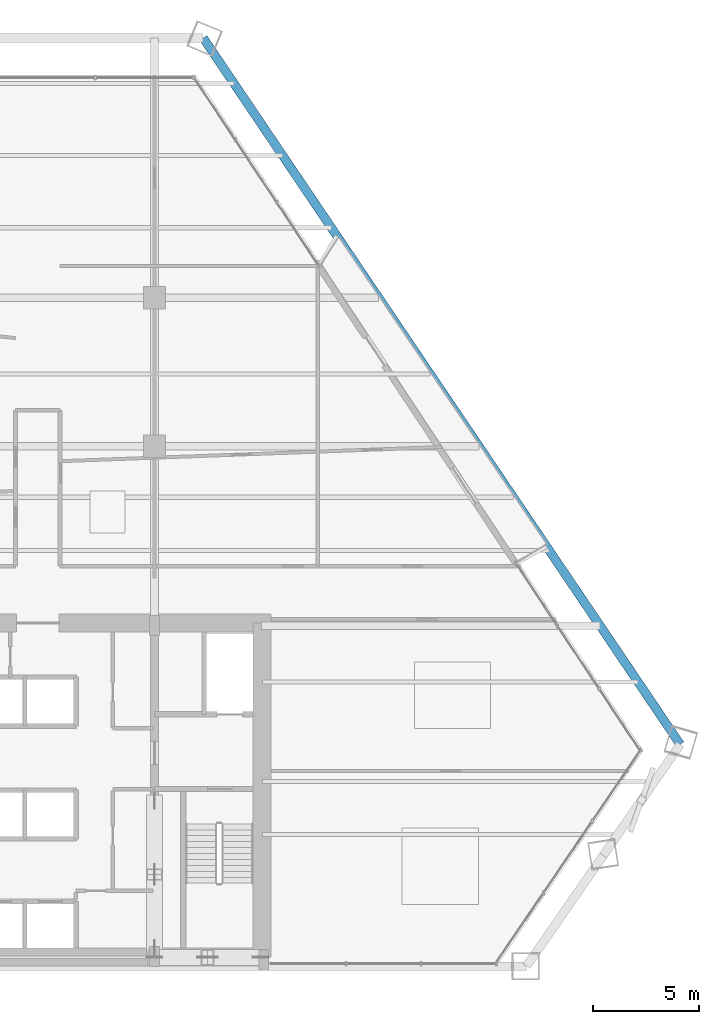
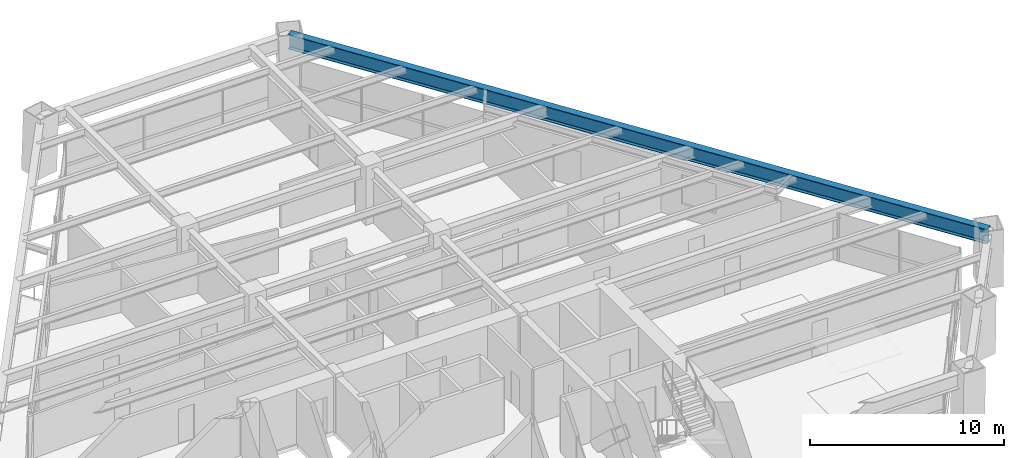
# One storey, part 7 of 14: 1 beam.
"""IFC4 building model written with IfcOpenShell, lengths in metres."""

from ifc_helpers import new_model, si_unit, direction, frame, origin, origin_2d, place, context, subcontext, project, spatial, i_section, extrude, source, transform, mapped, material, material_profile, profile_set, type_object, element, save


model = new_model("IFC4")

# Units and contexts
model_context = context("Model", 3, precision=1e-05, world=origin(), true_north=direction((0.0, 1.0)))
body_context = subcontext(model_context, "Body", "Model", "MODEL_VIEW")
ifc_project = project(units=[si_unit("LENGTHUNIT", "METRE"), si_unit("AREAUNIT", "SQUARE_METRE"), si_unit("VOLUMEUNIT", "CUBIC_METRE"), si_unit("PLANEANGLEUNIT", "RADIAN"), si_unit("MASSUNIT", "GRAM", prefix="KILO")], contexts=[model_context])

# Site, building, storey
site_placement = place(None, origin())
site = spatial("IfcSite", under=ifc_project, at=site_placement, CompositionType="ELEMENT")
building_placement = place(site_placement, origin())
building = spatial("IfcBuilding", under=site, at=building_placement, Name="Varnakhor Terracotta Tower", CompositionType="ELEMENT")
storey_placement = place(building_placement, frame((0.0, 0.0, 60.800048828125)))
storey = spatial("IfcBuildingStorey", under=building, at=storey_placement, Name="L14", CompositionType="ELEMENT", Elevation=60.800048828125)

# Beam
ifc_material = material(Name="Steel S355", Category="steel")
ifc_material_profile = material_profile(ifc_material, i_section(OverallWidth=0.41796875, OverallDepth=0.927001953125, WebThickness=0.01904296875, FlangeThickness=0.031982421875, FilletRadius=0.01806640625, at=origin_2d()), Name="W36X231")
ifc_profile_set = profile_set([ifc_material_profile], Name="Steel S355")
beam_type = type_object("IfcBeamType", Name="BM-W36X231", PredefinedType="BEAM", material=ifc_profile_set)
shared_shape = source(origin(), body_context, "Body", "SweptSolid", [
    extrude(i_section(OverallWidth=0.41796875, OverallDepth=0.927001953125, WebThickness=0.01904296875, FlangeThickness=0.031982421875, FilletRadius=0.01806640625, at=origin_2d()), origin(), (0.0, 0.0, 1.0), 40.169189453125),
])
beam_placement = place(storey_placement, frame((30.274658203125, 10.452392578125, 2.986572265625), z_axis=(-0.559571599095, 0.828782013249, 0.0), x_axis=(-0.828782013249, -0.559571599095, 0.0)))
element("IfcBeam", 1, at=beam_placement, inside=storey, type_object=beam_type, Name="L14 Perimeter Spandrel 4", PredefinedType="BEAM", context=body_context, shape_type="MappedRepresentation", body=[
    mapped(shared_shape, transform((0.0, 0.0, 0.0), scale=1.0)),
])

save(model, "model.ifc")
